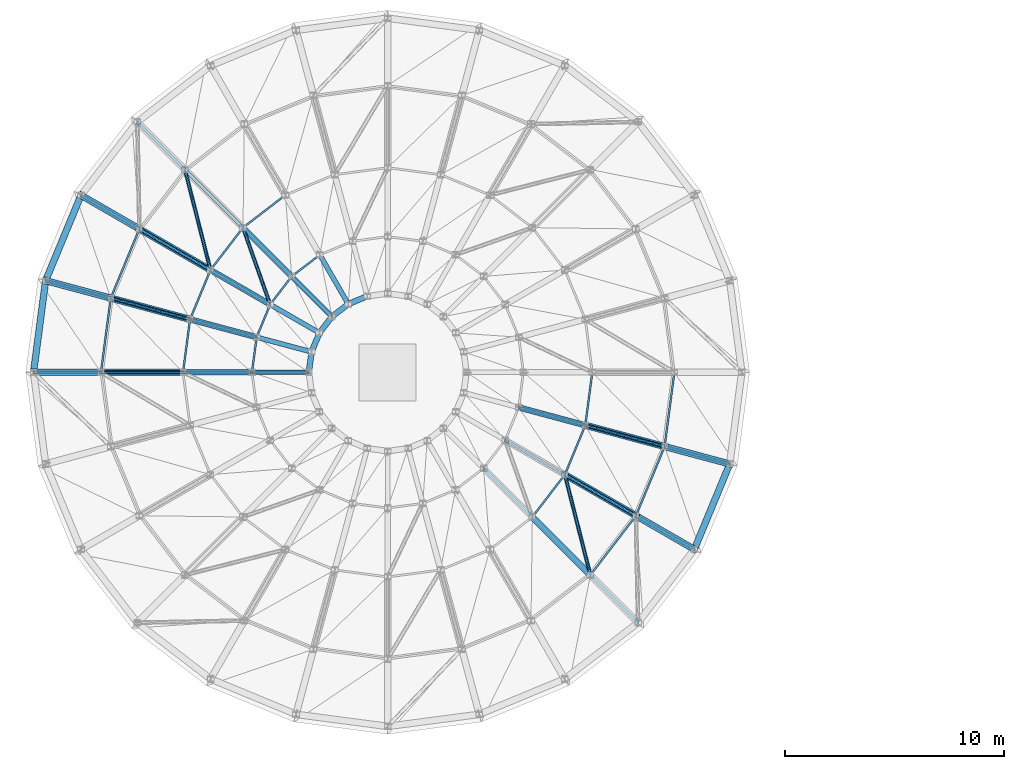
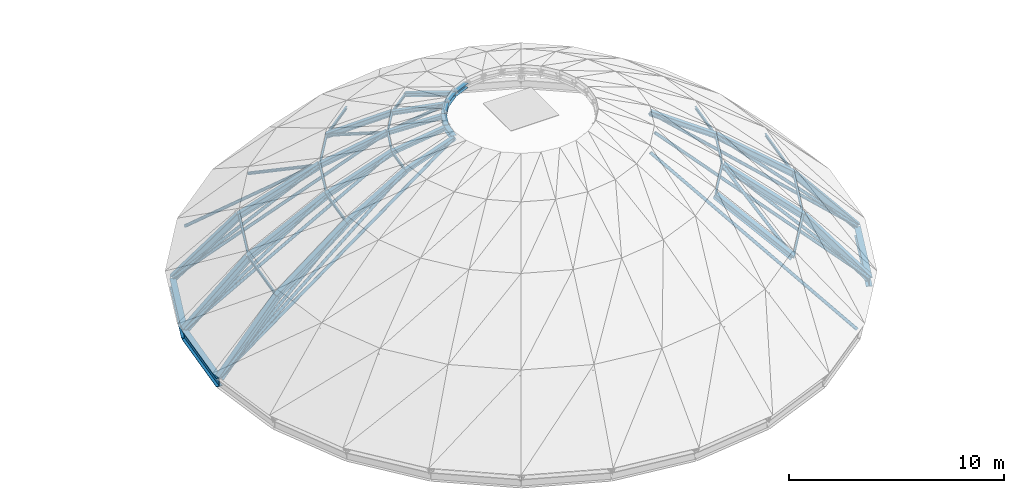
# One storey, part 3 of 19: 32 members, 29 beams.
"""IFC4 building model written with IfcOpenShell, lengths in metres."""

from ifc_helpers import new_model, si_unit, direction, frame, origin, origin_2d, place, context, subcontext, project, spatial, hollow_circle, i_section, extrude, material, material_profile, profile_set, type_object, element, save


model = new_model("IFC4")

# Units and contexts
model_context = context("Model", 3, precision=1e-05, world=origin(), true_north=direction((0.0, 1.0)))
body_context = subcontext(model_context, "Body", "Model", "MODEL_VIEW")
ifc_project = project(units=[si_unit("LENGTHUNIT", "METRE"), si_unit("AREAUNIT", "SQUARE_METRE"), si_unit("VOLUMEUNIT", "CUBIC_METRE"), si_unit("PLANEANGLEUNIT", "RADIAN"), si_unit("MASSUNIT", "GRAM", prefix="KILO")], contexts=[model_context])

# Site, building, storey
site_placement = place(None, origin())
site = spatial("IfcSite", under=ifc_project, at=site_placement, CompositionType="ELEMENT")
building_placement = place(site_placement, origin())
building = spatial("IfcBuilding", under=site, at=building_placement, Name="Montecoro Central Library", CompositionType="ELEMENT")
storey_placement = place(building_placement, frame((0.0, 0.0, 25.5)))
storey = spatial("IfcBuildingStorey", under=building, at=storey_placement, Name="ROOF", CompositionType="ELEMENT", Elevation=25.5)

# Beams
ifc_material_1 = material(Name="Steel S355J2", Category="steel")
ifc_material_profile_1 = material_profile(ifc_material_1, i_section(OverallWidth=0.219970703125, OverallDepth=0.2099609375, WebThickness=0.007080078125, FlangeThickness=0.010986328125, at=origin_2d()), Name="HEA 220")
ifc_profile_set_1 = profile_set([ifc_material_profile_1], Name="Steel S355J2")
beam_type_1 = type_object("IfcBeamType", Name="BM-DR-HEA220", PredefinedType="BEAM", material=ifc_profile_set_1)
beam_1_placement = place(storey_placement, frame((88.5, 40.76904296875, 0.10009765625), z_axis=(0.470325390653, -0.814347436961, 0.340047465542), x_axis=(0.865950948929, 0.500128937424, 0.0)))
element("IfcBeam", 1, at=beam_1_placement, inside=storey, type_object=beam_type_1, Name="V1-DOME-RIB-09-S4", PredefinedType="BEAM", context=body_context, shape_type="SweptSolid", body=[
    extrude(i_section(OverallWidth=0.219970703125, OverallDepth=0.2099609375, WebThickness=0.007080078125, FlangeThickness=0.010986328125, at=origin_2d()), origin(), (0.0, 0.0, 1.0), 2.76416015625),
])
beam_2_placement = place(storey_placement, frame((87.216064453125, 39.783935546875, 0.10009765625), z_axis=(0.664961450013, -0.664961450013, 0.340077255918), x_axis=(0.707106781187, 0.707106781187, 0.0)))
element("IfcBeam", 2, at=beam_2_placement, inside=storey, type_object=beam_type_1, Name="V1-DOME-RIB-10-S4", PredefinedType="BEAM", context=body_context, shape_type="SweptSolid", body=[
    extrude(i_section(OverallWidth=0.219970703125, OverallDepth=0.2099609375, WebThickness=0.007080078125, FlangeThickness=0.010986328125, at=origin_2d()), origin(), (0.0, 0.0, 1.0), 2.763916015625),
])
beam_3_placement = place(storey_placement, frame((86.23095703125, 38.5, 0.10009765625), z_axis=(0.814347436961, -0.470325390653, 0.340047465542), x_axis=(0.500128937424, 0.865950948929, 0.0)))
element("IfcBeam", 3, at=beam_3_placement, inside=storey, type_object=beam_type_1, Name="V1-DOME-RIB-11-S4", PredefinedType="BEAM", context=body_context, shape_type="SweptSolid", body=[
    extrude(i_section(OverallWidth=0.219970703125, OverallDepth=0.2099609375, WebThickness=0.007080078125, FlangeThickness=0.010986328125, at=origin_2d()), origin(), (0.0, 0.0, 1.0), 2.76416015625),
])
beam_4_placement = place(storey_placement, frame((85.611083984375, 37.0048828125, 0.10009765625), z_axis=(0.908429138317, -0.243330810108, 0.33992148727), x_axis=(0.258737649451, 0.965947632512, 0.0)))
element("IfcBeam", 4, at=beam_4_placement, inside=storey, type_object=beam_type_1, Name="V1-DOME-RIB-12-S4", PredefinedType="BEAM", context=body_context, shape_type="SweptSolid", body=[
    extrude(i_section(OverallWidth=0.219970703125, OverallDepth=0.2099609375, WebThickness=0.007080078125, FlangeThickness=0.010986328125, at=origin_2d()), origin(), (0.0, 0.0, 1.0), 2.76513671875),
])
beam_5_placement = place(storey_placement, frame((85.39990234375, 35.39990234375, 0.10009765625), z_axis=(0.940436305787, 0.0, 0.339969932139), x_axis=(0.0, 1.0, 0.0)))
element("IfcBeam", 5, at=beam_5_placement, inside=storey, type_object=beam_type_1, Name="V1-DOME-RIB-13-S4", PredefinedType="BEAM", context=body_context, shape_type="SweptSolid", body=[
    extrude(i_section(OverallWidth=0.219970703125, OverallDepth=0.2099609375, WebThickness=0.007080078125, FlangeThickness=0.010986328125, at=origin_2d()), origin(), (0.0, 0.0, 1.0), 2.764892578125),
])
ifc_material_profile_2 = material_profile(ifc_material_1, i_section(OverallWidth=0.260009765625, OverallDepth=0.25, WebThickness=0.007568359375, FlangeThickness=0.012451171875, at=origin_2d()), Name="HEA 260")
ifc_profile_set_2 = profile_set([ifc_material_profile_2], Name="Steel S355J2")
beam_type_2 = type_object("IfcBeamType", Name="BM-DR-HEA260", PredefinedType="BEAM", material=ifc_profile_set_2)
beam_6_placement = place(storey_placement, frame((84.989013671875, 42.010986328125, -1.75), z_axis=(0.609696360037, -0.609696360037, 0.506498467042), x_axis=(0.707106781187, 0.707106781187, 0.0)))
element("IfcBeam", 6, at=beam_6_placement, inside=storey, type_object=beam_type_2, Name="V1-DOME-RIB-10-S3", PredefinedType="BEAM", context=body_context, shape_type="SweptSolid", body=[
    extrude(i_section(OverallWidth=0.260009765625, OverallDepth=0.25, WebThickness=0.007568359375, FlangeThickness=0.012451171875, at=origin_2d()), origin(), (0.0, 0.0, 1.0), 3.65283203125),
])
beam_7_placement = place(storey_placement, frame((83.5029296875, 40.074951171875, -1.75), z_axis=(0.746761384172, -0.431122041283, 0.506439750247), x_axis=(0.499981869177, 0.866035871367, 0.0)))
element("IfcBeam", 7, at=beam_7_placement, inside=storey, type_object=beam_type_2, Name="V1-DOME-RIB-11-S3", PredefinedType="BEAM", context=body_context, shape_type="SweptSolid", body=[
    extrude(i_section(OverallWidth=0.260009765625, OverallDepth=0.25, WebThickness=0.007568359375, FlangeThickness=0.012451171875, at=origin_2d()), origin(), (0.0, 0.0, 1.0), 3.653076171875),
])
beam_8_placement = place(storey_placement, frame((82.569091796875, 37.820068359375, -1.75), z_axis=(0.832841175818, -0.223182719587, 0.506522506449), x_axis=(0.258844581524, 0.965918983464, 0.0)))
element("IfcBeam", 8, at=beam_8_placement, inside=storey, type_object=beam_type_2, Name="V1-DOME-RIB-12-S3", PredefinedType="BEAM", context=body_context, shape_type="SweptSolid", body=[
    extrude(i_section(OverallWidth=0.260009765625, OverallDepth=0.25, WebThickness=0.007568359375, FlangeThickness=0.012451171875, at=origin_2d()), origin(), (0.0, 0.0, 1.0), 3.652587890625),
])
beam_9_placement = place(storey_placement, frame((82.25, 35.39990234375, -1.75), z_axis=(0.862267330232, 0.0, 0.506453404782), x_axis=(0.0, 1.0, 0.0)))
element("IfcBeam", 9, at=beam_9_placement, inside=storey, type_object=beam_type_2, Name="V1-DOME-RIB-13-S3", PredefinedType="BEAM", context=body_context, shape_type="SweptSolid", body=[
    extrude(i_section(OverallWidth=0.260009765625, OverallDepth=0.25, WebThickness=0.007568359375, FlangeThickness=0.012451171875, at=origin_2d()), origin(), (0.0, 0.0, 1.0), 3.653076171875),
])
beam_10_placement = place(storey_placement, frame((100.631103515625, 32.97998046875, -1.75), z_axis=(-0.832853598392, 0.223119206375, 0.506530061687), x_axis=(-0.258772251746, -0.965938363316, 0.0)))
element("IfcBeam", 10, at=beam_10_placement, inside=storey, type_object=beam_type_2, Name="V1-DOME-RIB-24-S3", PredefinedType="BEAM", context=body_context, shape_type="SweptSolid", body=[
    extrude(i_section(OverallWidth=0.260009765625, OverallDepth=0.25, WebThickness=0.007568359375, FlangeThickness=0.012451171875, at=origin_2d()), origin(), (0.0, 0.0, 1.0), 3.652587890625),
])
ifc_material_profile_3 = material_profile(ifc_material_1, i_section(OverallWidth=0.300048828125, OverallDepth=0.2900390625, WebThickness=0.008544921875, FlangeThickness=0.013916015625, at=origin_2d()), Name="HEA 300")
ifc_profile_set_3 = profile_set([ifc_material_profile_3], Name="Steel S355J2")
beam_type_3 = type_object("IfcBeamType", Name="BM-DR-HEA300", PredefinedType="BEAM", material=ifc_profile_set_3)
beam_11_placement = place(storey_placement, frame((80.2548828125, 41.949951171875, -4.60009765625), z_axis=(0.689538330018, -0.398049787623, 0.605056408947), x_axis=(0.499947857008, 0.866055506462, 0.0)))
element("IfcBeam", 11, at=beam_11_placement, inside=storey, type_object=beam_type_3, Name="V1-DOME-RIB-11-S2", PredefinedType="BEAM", context=body_context, shape_type="SweptSolid", body=[
    extrude(i_section(OverallWidth=0.300048828125, OverallDepth=0.2900390625, WebThickness=0.008544921875, FlangeThickness=0.013916015625, at=origin_2d()), origin(), (0.0, 0.0, 1.0), 4.71044921875),
])
beam_12_placement = place(storey_placement, frame((78.946044921875, 38.791015625, -4.60009765625), z_axis=(0.76908288872, -0.206107995178, 0.605004962461), x_axis=(0.258857545835, 0.965915509226, 0.0)))
element("IfcBeam", 12, at=beam_12_placement, inside=storey, type_object=beam_type_3, Name="V1-DOME-RIB-12-S2", PredefinedType="BEAM", context=body_context, shape_type="SweptSolid", body=[
    extrude(i_section(OverallWidth=0.300048828125, OverallDepth=0.2900390625, WebThickness=0.008544921875, FlangeThickness=0.013916015625, at=origin_2d()), origin(), (0.0, 0.0, 1.0), 4.7109375),
])
beam_13_placement = place(storey_placement, frame((78.5, 35.39990234375, -4.60009765625), z_axis=(0.796152205945, 0.0, 0.605096409648), x_axis=(0.0, 1.0, 0.0)))
element("IfcBeam", 13, at=beam_13_placement, inside=storey, type_object=beam_type_3, Name="V1-DOME-RIB-13-S2", PredefinedType="BEAM", context=body_context, shape_type="SweptSolid", body=[
    extrude(i_section(OverallWidth=0.300048828125, OverallDepth=0.2900390625, WebThickness=0.008544921875, FlangeThickness=0.013916015625, at=origin_2d()), origin(), (0.0, 0.0, 1.0), 4.710205078125),
])
beam_14_placement = place(storey_placement, frame((100.863037109375, 26.136962890625, -4.60009765625), z_axis=(-0.562999534848, 0.562999534848, 0.605031443415), x_axis=(-0.707106781187, -0.707106781187, 0.0)))
element("IfcBeam", 14, at=beam_14_placement, inside=storey, type_object=beam_type_3, Name="V1-DOME-RIB-22-S2", PredefinedType="BEAM", context=body_context, shape_type="SweptSolid", body=[
    extrude(i_section(OverallWidth=0.300048828125, OverallDepth=0.2900390625, WebThickness=0.008544921875, FlangeThickness=0.013916015625, at=origin_2d()), origin(), (0.0, 0.0, 1.0), 4.710693359375),
])
beam_15_placement = place(storey_placement, frame((102.945068359375, 28.85009765625, -4.60009765625), z_axis=(-0.689538330018, 0.398049787623, 0.605056408947), x_axis=(-0.499947857008, -0.866055506462, 0.0)))
element("IfcBeam", 15, at=beam_15_placement, inside=storey, type_object=beam_type_3, Name="V1-DOME-RIB-23-S2", PredefinedType="BEAM", context=body_context, shape_type="SweptSolid", body=[
    extrude(i_section(OverallWidth=0.300048828125, OverallDepth=0.2900390625, WebThickness=0.008544921875, FlangeThickness=0.013916015625, at=origin_2d()), origin(), (0.0, 0.0, 1.0), 4.71044921875),
])
beam_16_placement = place(storey_placement, frame((104.25390625, 32.009033203125, -4.60009765625), z_axis=(-0.769061716348, 0.206116210386, 0.605029077205), x_axis=(-0.25887382123, -0.965911147405, 0.0)))
element("IfcBeam", 16, at=beam_16_placement, inside=storey, type_object=beam_type_3, Name="V1-DOME-RIB-24-S2", PredefinedType="BEAM", context=body_context, shape_type="SweptSolid", body=[
    extrude(i_section(OverallWidth=0.300048828125, OverallDepth=0.2900390625, WebThickness=0.008544921875, FlangeThickness=0.013916015625, at=origin_2d()), origin(), (0.0, 0.0, 1.0), 4.710693359375),
])
ifc_material_profile_4 = material_profile(ifc_material_1, i_section(OverallWidth=0.300048828125, OverallDepth=0.330078125, WebThickness=0.009521484375, FlangeThickness=0.0166015625, at=origin_2d()), Name="HEA 340")
ifc_profile_set_4 = profile_set([ifc_material_profile_4], Name="Steel S355J2")
beam_type_4 = type_object("IfcBeamType", Name="BM-DR-HEA340", PredefinedType="BEAM", material=ifc_profile_set_4)
beam_17_placement = place(storey_placement, frame((77.587890625, 43.489990234375, -8.159912109375), z_axis=(0.566588516659, -0.327173229869, 0.756263929093), x_axis=(0.500060979923, 0.865990194147, 0.0)))
element("IfcBeam", 17, at=beam_17_placement, inside=storey, type_object=beam_type_4, Name="V1-DOME-RIB-11-S1", PredefinedType="BEAM", context=body_context, shape_type="SweptSolid", body=[
    extrude(i_section(OverallWidth=0.300048828125, OverallDepth=0.330078125, WebThickness=0.009521484375, FlangeThickness=0.0166015625, at=origin_2d()), origin(), (0.0, 0.0, 1.0), 4.70703125),
])
for number, where, z_axis, x_axis, name in (
    (18, (75.970947265625, 39.587890625, -8.159912109375), (0.632020402488, -0.169285622331, 0.756235802452), (0.258728160853, 0.965950174068, 0.0), "V1-DOME-RIB-12-S1"),
    (19, (75.419921875, 35.39990234375, -8.159912109375), (0.654312299044, 0.0, 0.756224447714), (0.0, 1.0, 0.0), "V1-DOME-RIB-13-S1"),
):
    element("IfcBeam", number, at=place(storey_placement, frame(where, z_axis=z_axis, x_axis=x_axis)), inside=storey, type_object=beam_type_4, Name=name, PredefinedType="BEAM", context=body_context, shape_type="SweptSolid", body=[
        extrude(i_section(OverallWidth=0.300048828125, OverallDepth=0.330078125, WebThickness=0.009521484375, FlangeThickness=0.0166015625, at=origin_2d()), origin(), (0.0, 0.0, 1.0), 4.707275390625),
    ])
beam_18_placement = place(storey_placement, frame((105.612060546875, 27.31005859375, -8.159912109375), z_axis=(-0.566588516659, 0.327173229869, 0.756263929093), x_axis=(-0.500060979923, -0.865990194147, 0.0)))
element("IfcBeam", 20, at=beam_18_placement, inside=storey, type_object=beam_type_4, Name="V1-DOME-RIB-23-S1", PredefinedType="BEAM", context=body_context, shape_type="SweptSolid", body=[
    extrude(i_section(OverallWidth=0.300048828125, OverallDepth=0.330078125, WebThickness=0.009521484375, FlangeThickness=0.0166015625, at=origin_2d()), origin(), (0.0, 0.0, 1.0), 4.70703125),
])
beam_19_placement = place(storey_placement, frame((107.22900390625, 31.2119140625, -8.159912109375), z_axis=(-0.63201485263, 0.169335999822, 0.756229161841), x_axis=(-0.258802119616, -0.9659303613, 0.0)))
element("IfcBeam", 21, at=beam_19_placement, inside=storey, type_object=beam_type_4, Name="V1-DOME-RIB-24-S1", PredefinedType="BEAM", context=body_context, shape_type="SweptSolid", body=[
    extrude(i_section(OverallWidth=0.300048828125, OverallDepth=0.330078125, WebThickness=0.009521484375, FlangeThickness=0.0166015625, at=origin_2d()), origin(), (0.0, 0.0, 1.0), 4.707275390625),
])
ifc_material_profile_5 = material_profile(ifc_material_1, i_section(OverallWidth=0.260009765625, OverallDepth=0.25, WebThickness=0.007568359375, FlangeThickness=0.012451171875, at=origin_2d()), Name="HEA 260")
ifc_profile_set_5 = profile_set([ifc_material_profile_5], Name="Steel S355J2")
beam_type_5 = type_object("IfcBeamType", Name="BM-RG-HEA260", PredefinedType="USERDEFINED", material=ifc_profile_set_5)
beam_20_placement = place(storey_placement, frame((90.658935546875, 38.873046875, 1.0400390625), z_axis=(-0.924243095854, -0.381804530835, 0.0), x_axis=(0.381804530835, -0.924243095854, 0.0)))
element("IfcBeam", 22, at=beam_20_placement, inside=storey, type_object=beam_type_5, Name="V1-DOME-RNG4-08", ObjectType="GIRDER", PredefinedType="USERDEFINED", context=body_context, shape_type="SweptSolid", body=[
    extrude(i_section(OverallWidth=0.260009765625, OverallDepth=0.25, WebThickness=0.007568359375, FlangeThickness=0.012451171875, at=origin_2d()), origin(), (0.0, 0.0, 1.0), 0.91943359375),
])
for number, where, z_axis, x_axis, name in (
    (23, (89.7919921875, 38.511962890625, 1.0400390625), (-0.79339277073, -0.608710038814, 0.0), (0.608710038814, -0.79339277073, 0.0), "V1-DOME-RNG4-09"),
    (24, (89.048095703125, 37.93798828125, 1.0400390625), (-0.608710038814, -0.79339277073, 0.0), (0.79339277073, -0.608710038814, 0.0), "V1-DOME-RNG4-10"),
):
    element("IfcBeam", number, at=place(storey_placement, frame(where, z_axis=z_axis, x_axis=x_axis)), inside=storey, type_object=beam_type_5, Name=name, ObjectType="GIRDER", PredefinedType="USERDEFINED", context=body_context, shape_type="SweptSolid", body=[
        extrude(i_section(OverallWidth=0.260009765625, OverallDepth=0.25, WebThickness=0.007568359375, FlangeThickness=0.012451171875, at=origin_2d()), origin(), (0.0, 0.0, 1.0), 0.920166015625),
    ])
beam_21_placement = place(storey_placement, frame((88.47802734375, 37.19091796875, 1.0400390625), z_axis=(-0.381804530835, -0.924243095854, 0.0), x_axis=(0.924243095854, -0.381804530835, 0.0)))
element("IfcBeam", 25, at=beam_21_placement, inside=storey, type_object=beam_type_5, Name="V1-DOME-RNG4-11", ObjectType="GIRDER", PredefinedType="USERDEFINED", context=body_context, shape_type="SweptSolid", body=[
    extrude(i_section(OverallWidth=0.260009765625, OverallDepth=0.25, WebThickness=0.007568359375, FlangeThickness=0.012451171875, at=origin_2d()), origin(), (0.0, 0.0, 1.0), 0.91943359375),
])
beam_22_placement = place(storey_placement, frame((88.1220703125, 36.322021484375, 1.0400390625), z_axis=(-0.131607532787, -0.991301900187, 0.0), x_axis=(0.991301900187, -0.131607532787, 0.0)))
element("IfcBeam", 26, at=beam_22_placement, inside=storey, type_object=beam_type_5, Name="V1-DOME-RNG4-12", ObjectType="GIRDER", PredefinedType="USERDEFINED", context=body_context, shape_type="SweptSolid", body=[
    extrude(i_section(OverallWidth=0.260009765625, OverallDepth=0.25, WebThickness=0.007568359375, FlangeThickness=0.012451171875, at=origin_2d()), origin(), (0.0, 0.0, 1.0), 0.920166015625),
])
ifc_material_profile_6 = material_profile(ifc_material_1, i_section(OverallWidth=0.300048828125, OverallDepth=0.5, WebThickness=0.014404296875, FlangeThickness=0.028076171875, at=origin_2d()), Name="HEB 500")
ifc_profile_set_6 = profile_set([ifc_material_profile_6], Name="Steel S355J2")
beam_type_6 = type_object("IfcBeamType", Name="BM-RG-HEB500", PredefinedType="USERDEFINED", material=ifc_profile_set_6)
for number, where, z_axis, x_axis, name in (
    (27, (77.583984375, 43.48095703125, -8.409912109375), (-0.382697134684, -0.923873856706, 0.0), (0.923873856706, -0.382697134684, 0.0), "V1-L03-RING-11"),
    (28, (75.969970703125, 39.577880859375, -8.409912109375), (-0.130607740177, -0.99143412197, 0.0), (0.99143412197, -0.130607740177, 0.0), "V1-L03-RING-12"),
):
    element("IfcBeam", number, at=place(storey_placement, frame(where, z_axis=z_axis, x_axis=x_axis)), inside=storey, type_object=beam_type_6, Name=name, ObjectType="GIRDER", PredefinedType="USERDEFINED", context=body_context, shape_type="SweptSolid", body=[
        extrude(i_section(OverallWidth=0.300048828125, OverallDepth=0.5, WebThickness=0.014404296875, FlangeThickness=0.028076171875, at=origin_2d()), origin(), (0.0, 0.0, 1.0), 4.2041015625),
    ])
beam_23_placement = place(storey_placement, frame((105.615966796875, 27.319091796875, -8.409912109375), z_axis=(0.382767235377, 0.923844815714, 0.0), x_axis=(-0.923844815714, 0.382767235377, 0.0)))
element("IfcBeam", 29, at=beam_23_placement, inside=storey, type_object=beam_type_6, Name="V1-L03-RING-23", ObjectType="GIRDER", PredefinedType="USERDEFINED", context=body_context, shape_type="SweptSolid", body=[
    extrude(i_section(OverallWidth=0.300048828125, OverallDepth=0.5, WebThickness=0.014404296875, FlangeThickness=0.028076171875, at=origin_2d()), origin(), (0.0, 0.0, 1.0), 4.203857421875),
])

# Members
ifc_material_2 = material(Name="Steel S355", Category="steel")
ifc_material_profile_7 = material_profile(ifc_material_2, hollow_circle(Radius=0.084228515625, WallThickness=0.008056640625, at=origin_2d()), Name="CHS 168.3x8.0")
ifc_profile_set_7 = profile_set([ifc_material_profile_7], Name="Steel S355")
member_type_1 = type_object("IfcMemberType", Name="MB-BR-CHS168", PredefinedType="BRACE", material=ifc_profile_set_7)
member_1_placement = place(storey_placement, frame((82.339111328125, 44.655029296875, -4.594970703125), z_axis=(0.211006279638, -0.830324563727, 0.515788201518), x_axis=(0.969194500392, 0.246296610635, 0.0)))
element("IfcMember", 30, at=member_1_placement, inside=storey, type_object=member_type_1, Name="V1-DOME-BR-B4-S2", PredefinedType="BRACE", context=body_context, shape_type="SweptSolid", body=[
    extrude(hollow_circle(Radius=0.084228515625, WallThickness=0.008056640625, at=origin_2d()), origin(), (0.0, 0.0, 1.0), 5.50634765625),
])
member_2_placement = place(storey_placement, frame((84.991943359375, 42.0029296875, -1.74609375), z_axis=(0.298609722475, -0.844281686201, 0.444995132545), x_axis=(0.94277005741, 0.333443576714, 0.0)))
element("IfcMember", 31, at=member_2_placement, inside=storey, type_object=member_type_1, Name="V1-DOME-BR-B4-S3", PredefinedType="BRACE", context=body_context, shape_type="SweptSolid", body=[
    extrude(hollow_circle(Radius=0.084228515625, WallThickness=0.008056640625, at=origin_2d()), origin(), (0.0, 0.0, 1.0), 4.139404296875),
])
member_3_placement = place(storey_placement, frame((100.861083984375, 26.14501953125, -4.594970703125), z_axis=(-0.211048643302, 0.830316794774, 0.515783375533), x_axis=(-0.969182145202, -0.24634522407, 0.0)))
element("IfcMember", 32, at=member_3_placement, inside=storey, type_object=member_type_1, Name="V1-DOME-BR-B8-S2", PredefinedType="BRACE", context=body_context, shape_type="SweptSolid", body=[
    extrude(hollow_circle(Radius=0.084228515625, WallThickness=0.008056640625, at=origin_2d()), origin(), (0.0, 0.0, 1.0), 5.50634765625),
])
member_4_placement = place(storey_placement, frame((80.169921875, 46.830078125, -8.14794921875), z_axis=(0.570780549101, -0.570780549101, 0.590270386803), x_axis=(0.707106781187, 0.707106781187, 0.0)))
element("IfcMember", 33, at=member_4_placement, inside=storey, type_object=member_type_1, Name="V1-DOME-SPK-R4-10", PredefinedType="BRACE", context=body_context, shape_type="SweptSolid", body=[
    extrude(hollow_circle(Radius=0.084228515625, WallThickness=0.008056640625, at=origin_2d()), origin(), (0.0, 0.0, 1.0), 15.54541015625),
])
member_5_placement = place(storey_placement, frame((77.60107421875, 43.48291015625, -8.14599609375), z_axis=(0.631444242861, -0.364662257081, 0.684324196867), x_axis=(0.500100541527, 0.865967348325, 0.0)))
element("IfcMember", 34, at=member_5_placement, inside=storey, type_object=member_type_1, Name="V1-DOME-SPK-R2-11", PredefinedType="BRACE", context=body_context, shape_type="SweptSolid", body=[
    extrude(hollow_circle(Radius=0.084228515625, WallThickness=0.008056640625, at=origin_2d()), origin(), (0.0, 0.0, 1.0), 9.326171875),
])
member_6_placement = place(storey_placement, frame((77.60107421875, 43.48193359375, -8.14697265625), z_axis=(0.667222627018, -0.385134624741, 0.63756198665), x_axis=(0.499915750474, 0.866074039807, 0.0)))
element("IfcMember", 35, at=member_6_placement, inside=storey, type_object=member_type_1, Name="V1-DOME-SPK-R3-11", PredefinedType="BRACE", context=body_context, shape_type="SweptSolid", body=[
    extrude(hollow_circle(Radius=0.084228515625, WallThickness=0.008056640625, at=origin_2d()), origin(), (0.0, 0.0, 1.0), 12.91455078125),
])
member_7_placement = place(storey_placement, frame((75.985107421875, 39.583984375, -8.14599609375), z_axis=(0.704394833488, -0.188702428637, 0.684265527395), x_axis=(0.258768381133, 0.965939400235, 0.0)))
element("IfcMember", 36, at=member_7_placement, inside=storey, type_object=member_type_1, Name="V1-DOME-SPK-R2-12", PredefinedType="BRACE", context=body_context, shape_type="SweptSolid", body=[
    extrude(hollow_circle(Radius=0.084228515625, WallThickness=0.008056640625, at=origin_2d()), origin(), (0.0, 0.0, 1.0), 9.326904296875),
])
member_8_placement = place(storey_placement, frame((75.986083984375, 39.583984375, -8.14697265625), z_axis=(0.744131130743, -0.199389030942, 0.637583621652), x_axis=(0.258818676196, 0.965925925137, 0.0)))
element("IfcMember", 37, at=member_8_placement, inside=storey, type_object=member_type_1, Name="V1-DOME-SPK-R3-12", PredefinedType="BRACE", context=body_context, shape_type="SweptSolid", body=[
    extrude(hollow_circle(Radius=0.084228515625, WallThickness=0.008056640625, at=origin_2d()), origin(), (0.0, 0.0, 1.0), 12.914306640625),
])
member_9_placement = place(storey_placement, frame((75.43505859375, 35.39990234375, -8.14599609375), z_axis=(0.729160738068, 0.0, 0.684342471326), x_axis=(0.0, 1.0, 0.0)))
element("IfcMember", 38, at=member_9_placement, inside=storey, type_object=member_type_1, Name="V1-DOME-SPK-R2-13", PredefinedType="BRACE", context=body_context, shape_type="SweptSolid", body=[
    extrude(hollow_circle(Radius=0.084228515625, WallThickness=0.008056640625, at=origin_2d()), origin(), (0.0, 0.0, 1.0), 9.325927734375),
])
member_10_placement = place(storey_placement, frame((75.43505859375, 35.39990234375, -8.14697265625), z_axis=(0.770415452157, 0.0, 0.637542179842), x_axis=(0.0, 1.0, 0.0)))
element("IfcMember", 39, at=member_10_placement, inside=storey, type_object=member_type_1, Name="V1-DOME-SPK-R3-13", PredefinedType="BRACE", context=body_context, shape_type="SweptSolid", body=[
    extrude(hollow_circle(Radius=0.084228515625, WallThickness=0.008056640625, at=origin_2d()), origin(), (0.0, 0.0, 1.0), 12.9150390625),
])
member_11_placement = place(storey_placement, frame((75.43603515625, 35.39990234375, -8.14794921875), z_axis=(0.80719367696, 0.0, 0.590286682787), x_axis=(0.0, 1.0, 0.0)))
element("IfcMember", 40, at=member_11_placement, inside=storey, type_object=member_type_1, Name="V1-DOME-SPK-R4-13", PredefinedType="BRACE", context=body_context, shape_type="SweptSolid", body=[
    extrude(hollow_circle(Radius=0.084228515625, WallThickness=0.008056640625, at=origin_2d()), origin(), (0.0, 0.0, 1.0), 15.544921875),
])
member_12_placement = place(storey_placement, frame((103.030029296875, 23.969970703125, -8.14697265625), z_axis=(-0.544741885938, 0.544741885938, 0.63758337134), x_axis=(-0.707106781187, -0.707106781187, 0.0)))
element("IfcMember", 41, at=member_12_placement, inside=storey, type_object=member_type_1, Name="V1-DOME-SPK-R3-22", PredefinedType="BRACE", context=body_context, shape_type="SweptSolid", body=[
    extrude(hollow_circle(Radius=0.084228515625, WallThickness=0.008056640625, at=origin_2d()), origin(), (0.0, 0.0, 1.0), 12.914306640625),
])
member_13_placement = place(storey_placement, frame((105.59912109375, 27.31689453125, -8.14599609375), z_axis=(-0.631453954874, 0.364678925684, 0.684306352474), x_axis=(-0.500111915384, -0.865960779765, 0.0)))
element("IfcMember", 42, at=member_13_placement, inside=storey, type_object=member_type_1, Name="V1-DOME-SPK-R2-23", PredefinedType="BRACE", context=body_context, shape_type="SweptSolid", body=[
    extrude(hollow_circle(Radius=0.084228515625, WallThickness=0.008056640625, at=origin_2d()), origin(), (0.0, 0.0, 1.0), 9.326416015625),
])
member_14_placement = place(storey_placement, frame((105.59912109375, 27.318115234375, -8.14697265625), z_axis=(-0.667233115116, 0.38512976695, 0.637553944934), x_axis=(-0.499905126525, -0.866080172082, 0.0)))
element("IfcMember", 43, at=member_14_placement, inside=storey, type_object=member_type_1, Name="V1-DOME-SPK-R3-23", PredefinedType="BRACE", context=body_context, shape_type="SweptSolid", body=[
    extrude(hollow_circle(Radius=0.084228515625, WallThickness=0.008056640625, at=origin_2d()), origin(), (0.0, 0.0, 1.0), 12.914794921875),
])
member_15_placement = place(storey_placement, frame((107.215087890625, 31.216064453125, -8.14599609375), z_axis=(-0.704408021298, 0.188698949334, 0.684252910882), x_axis=(-0.258759409268, -0.96594180369, 0.0)))
element("IfcMember", 44, at=member_15_placement, inside=storey, type_object=member_type_1, Name="V1-DOME-SPK-R2-24", PredefinedType="BRACE", context=body_context, shape_type="SweptSolid", body=[
    extrude(hollow_circle(Radius=0.084228515625, WallThickness=0.008056640625, at=origin_2d()), origin(), (0.0, 0.0, 1.0), 9.3271484375),
])
member_16_placement = place(storey_placement, frame((107.214111328125, 31.216064453125, -8.14697265625), z_axis=(-0.744139567193, 0.199386226029, 0.637574652419), x_axis=(-0.258812541456, -0.965927568913, 0.0)))
element("IfcMember", 45, at=member_16_placement, inside=storey, type_object=member_type_1, Name="V1-DOME-SPK-R3-24", PredefinedType="BRACE", context=body_context, shape_type="SweptSolid", body=[
    extrude(hollow_circle(Radius=0.084228515625, WallThickness=0.008056640625, at=origin_2d()), origin(), (0.0, 0.0, 1.0), 12.914306640625),
])
ifc_material_profile_8 = material_profile(ifc_material_2, i_section(OverallWidth=0.08203125, OverallDepth=0.159912109375, WebThickness=0.0048828125, FlangeThickness=0.00732421875, at=origin_2d()), Name="IPE 160")
ifc_profile_set_8 = profile_set([ifc_material_profile_8], Name="Steel S355")
member_type_2 = type_object("IfcMemberType", Name="MB-PR-IPE160", PredefinedType="PURLIN", material=ifc_profile_set_8)
member_17_placement = place(storey_placement, frame((80.2509765625, 41.94091796875, -4.60009765625), z_axis=(-0.382692168307, -0.923875913917, 0.0), x_axis=(0.923875913917, -0.382692168307, 0.0)))
element("IfcMember", 46, at=member_17_placement, inside=storey, type_object=member_type_2, Name="V1-DOME-RNG1-11", PredefinedType="PURLIN", context=body_context, shape_type="SweptSolid", body=[
    extrude(i_section(OverallWidth=0.08203125, OverallDepth=0.159912109375, WebThickness=0.0048828125, FlangeThickness=0.00732421875, at=origin_2d()), origin(), (0.0, 0.0, 1.0), 3.399658203125),
])
member_18_placement = place(storey_placement, frame((78.945068359375, 38.781005859375, -4.60009765625), z_axis=(-0.130606814149, -0.991434243961, 0.0), x_axis=(0.991434243961, -0.130606814149, 0.0)))
element("IfcMember", 47, at=member_18_placement, inside=storey, type_object=member_type_2, Name="V1-DOME-RNG1-12", PredefinedType="PURLIN", context=body_context, shape_type="SweptSolid", body=[
    extrude(i_section(OverallWidth=0.08203125, OverallDepth=0.159912109375, WebThickness=0.0048828125, FlangeThickness=0.00732421875, at=origin_2d()), origin(), (0.0, 0.0, 1.0), 3.400146484375),
])
for number, where, z_axis, x_axis, name in (
    (48, (100.868896484375, 26.14501953125, -4.60009765625), (0.6088671291, 0.79327222257, 0.0), (-0.79327222257, 0.6088671291, 0.0), "V1-DOME-RNG1-22"),
    (49, (102.948974609375, 28.85888671875, -4.60009765625), (0.382666779591, 0.92388643014, 0.0), (-0.92388643014, 0.382666779591, 0.0), "V1-DOME-RNG1-23"),
    (50, (104.2548828125, 32.01904296875, -4.60009765625), (0.130616112234, 0.991433019031, 0.0), (-0.991433019031, 0.130616112234, 0.0), "V1-DOME-RNG1-24"),
):
    element("IfcMember", number, at=place(storey_placement, frame(where, z_axis=z_axis, x_axis=x_axis)), inside=storey, type_object=member_type_2, Name=name, PredefinedType="PURLIN", context=body_context, shape_type="SweptSolid", body=[
        extrude(i_section(OverallWidth=0.08203125, OverallDepth=0.159912109375, WebThickness=0.0048828125, FlangeThickness=0.00732421875, at=origin_2d()), origin(), (0.0, 0.0, 1.0), 3.39990234375),
    ])
for number, where, z_axis, x_axis, name in (
    (51, (86.9169921875, 43.490966796875, -1.75), (-0.793219814168, -0.608935404137, 0.0), (0.608935404137, -0.793219814168, 0.0), "V1-DOME-RNG2-09"),
    (52, (84.98291015625, 42.0029296875, -1.75), (-0.608935404137, -0.793219814168, 0.0), (0.793219814168, -0.608935404137, 0.0), "V1-DOME-RNG2-10"),
):
    element("IfcMember", number, at=place(storey_placement, frame(where, z_axis=z_axis, x_axis=x_axis)), inside=storey, type_object=member_type_2, Name=name, PredefinedType="PURLIN", context=body_context, shape_type="SweptSolid", body=[
        extrude(i_section(OverallWidth=0.08203125, OverallDepth=0.159912109375, WebThickness=0.0048828125, FlangeThickness=0.00732421875, at=origin_2d()), origin(), (0.0, 0.0, 1.0), 2.42041015625),
    ])
for number, where, z_axis, x_axis, name in (
    (53, (83.4990234375, 40.06591796875, -1.75), (-0.382509148006, -0.923951704199, 0.0), (0.923951704199, -0.382509148006, 0.0), "V1-DOME-RNG2-11"),
    (54, (82.568115234375, 37.81005859375, -1.75), (-0.130994471093, -0.991383098778, 0.0), (0.991383098778, -0.130994471093, 0.0), "V1-DOME-RNG2-12"),
):
    element("IfcMember", number, at=place(storey_placement, frame(where, z_axis=z_axis, x_axis=x_axis)), inside=storey, type_object=member_type_2, Name=name, PredefinedType="PURLIN", context=body_context, shape_type="SweptSolid", body=[
        extrude(i_section(OverallWidth=0.08203125, OverallDepth=0.159912109375, WebThickness=0.0048828125, FlangeThickness=0.00732421875, at=origin_2d()), origin(), (0.0, 0.0, 1.0), 2.4208984375),
    ])
member_19_placement = place(storey_placement, frame((98.217041015625, 28.797119140625, -1.75), z_axis=(0.608935404137, 0.793219814168, 0.0), x_axis=(-0.793219814168, 0.608935404137, 0.0)))
element("IfcMember", 55, at=member_19_placement, inside=storey, type_object=member_type_2, Name="V1-DOME-RNG2-22", PredefinedType="PURLIN", context=body_context, shape_type="SweptSolid", body=[
    extrude(i_section(OverallWidth=0.08203125, OverallDepth=0.159912109375, WebThickness=0.0048828125, FlangeThickness=0.00732421875, at=origin_2d()), origin(), (0.0, 0.0, 1.0), 2.42041015625),
])
member_20_placement = place(storey_placement, frame((99.700927734375, 30.73388671875, -1.75), z_axis=(0.382473510025, 0.923966457253, 0.0), x_axis=(-0.923966457253, 0.382473510025, 0.0)))
element("IfcMember", 56, at=member_20_placement, inside=storey, type_object=member_type_2, Name="V1-DOME-RNG2-23", PredefinedType="PURLIN", context=body_context, shape_type="SweptSolid", body=[
    extrude(i_section(OverallWidth=0.08203125, OverallDepth=0.159912109375, WebThickness=0.0048828125, FlangeThickness=0.00732421875, at=origin_2d()), origin(), (0.0, 0.0, 1.0), 2.421142578125),
])
member_21_placement = place(storey_placement, frame((100.632080078125, 32.989990234375, -1.75), z_axis=(0.130908444716, 0.991394461908, 0.0), x_axis=(-0.991394461908, 0.130908444716, 0.0)))
element("IfcMember", 57, at=member_21_placement, inside=storey, type_object=member_type_2, Name="V1-DOME-RNG2-24", PredefinedType="PURLIN", context=body_context, shape_type="SweptSolid", body=[
    extrude(i_section(OverallWidth=0.08203125, OverallDepth=0.159912109375, WebThickness=0.0048828125, FlangeThickness=0.00732421875, at=origin_2d()), origin(), (0.0, 0.0, 1.0), 2.420654296875),
])
for number, where, z_axis, x_axis, name in (
    (58, (88.491943359375, 40.762939453125, 0.10009765625), (-0.793333348491, -0.608787481944, 0.0), (0.608787481944, -0.793333348491, 0.0), "V1-DOME-RNG3-09"),
    (59, (87.2099609375, 39.77587890625, 0.10009765625), (-0.608787481944, -0.793333348491, 0.0), (0.793333348491, -0.608787481944, 0.0), "V1-DOME-RNG3-10"),
):
    element("IfcMember", number, at=place(storey_placement, frame(where, z_axis=z_axis, x_axis=x_axis)), inside=storey, type_object=member_type_2, Name=name, PredefinedType="PURLIN", context=body_context, shape_type="SweptSolid", body=[
        extrude(i_section(OverallWidth=0.08203125, OverallDepth=0.159912109375, WebThickness=0.0048828125, FlangeThickness=0.00732421875, at=origin_2d()), origin(), (0.0, 0.0, 1.0), 1.59814453125),
    ])
for number, where, z_axis, x_axis, name in (
    (60, (86.22705078125, 38.490966796875, 0.10009765625), (-0.382814800569, -0.923825107077, 0.0), (0.923825107077, -0.382814800569, 0.0), "V1-DOME-RNG3-11"),
    (61, (85.610107421875, 36.9951171875, 0.10009765625), (-0.13085342351, -0.991401725617, 0.0), (0.991401725617, -0.13085342351, 0.0), "V1-DOME-RNG3-12"),
):
    element("IfcMember", number, at=place(storey_placement, frame(where, z_axis=z_axis, x_axis=x_axis)), inside=storey, type_object=member_type_2, Name=name, PredefinedType="PURLIN", context=body_context, shape_type="SweptSolid", body=[
        extrude(i_section(OverallWidth=0.08203125, OverallDepth=0.159912109375, WebThickness=0.0048828125, FlangeThickness=0.00732421875, at=origin_2d()), origin(), (0.0, 0.0, 1.0), 1.598876953125),
    ])

save(model, "model.ifc")
